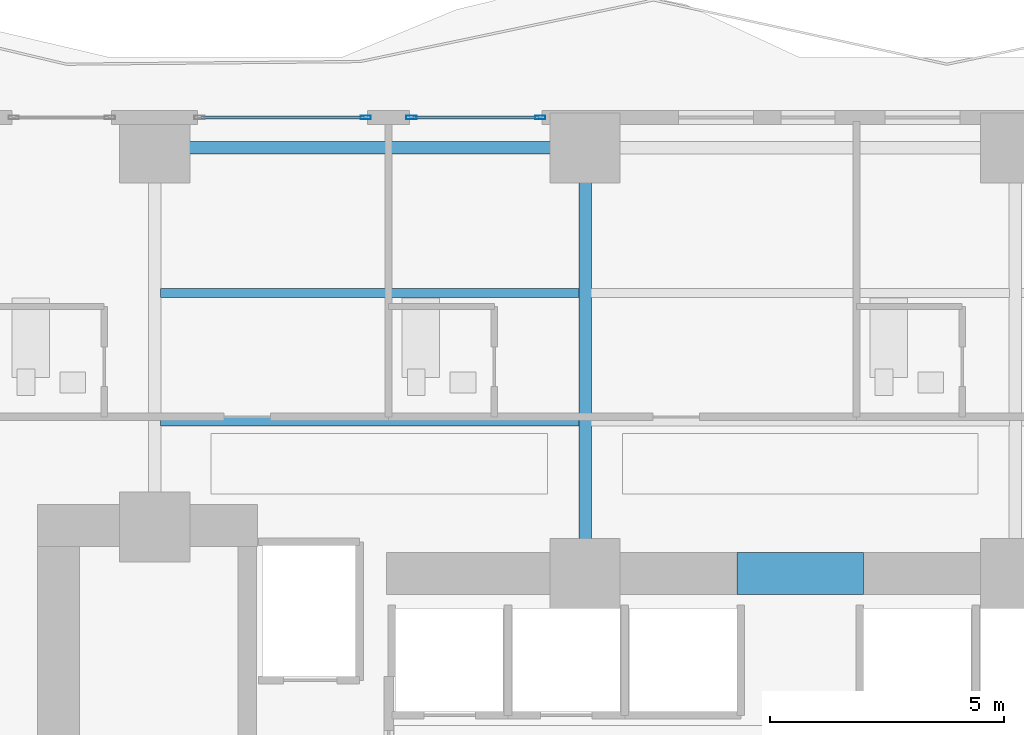
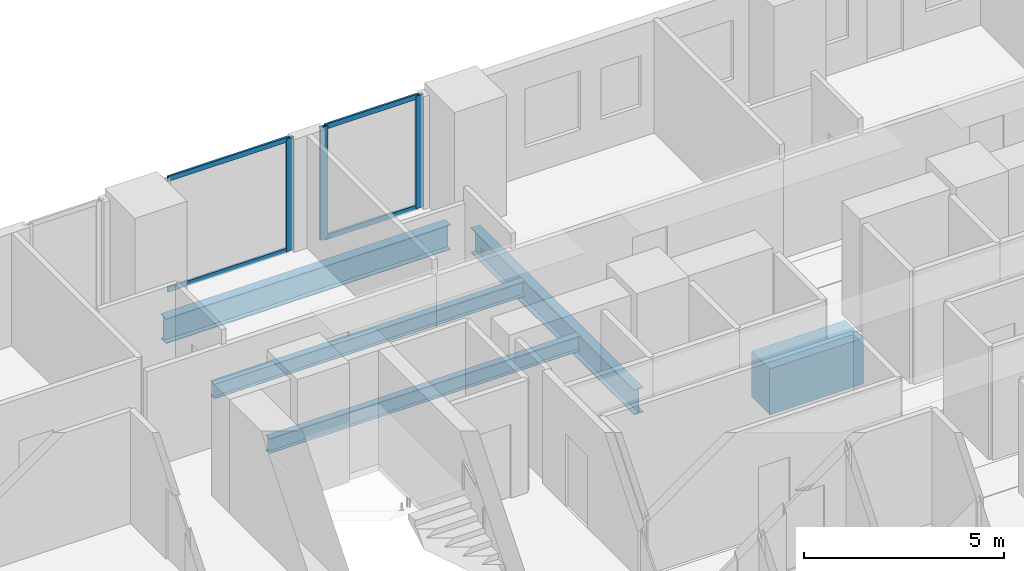
# One storey, part 14 of 29: 7 members, 5 beams, 2 elements without a shape of their own.
"""IFC4 building model written with IfcOpenShell, lengths in metres."""

from ifc_helpers import new_model, si_unit, direction, frame, origin, origin_2d, place, context, subcontext, project, spatial, rectangle, hollow_rectangle, i_section, extrude, material, layer, layer_set, material_profile, profile_set, type_object, element, aggregate, save


model = new_model("IFC4")

# Units and contexts
model_context = context("Model", 3, precision=1e-05, world=origin(), true_north=direction((0.0, 1.0)))
body_context = subcontext(model_context, "Body", "Model", "MODEL_VIEW")
ifc_project = project(units=[si_unit("LENGTHUNIT", "METRE"), si_unit("AREAUNIT", "SQUARE_METRE"), si_unit("VOLUMEUNIT", "CUBIC_METRE"), si_unit("PLANEANGLEUNIT", "RADIAN"), si_unit("MASSUNIT", "GRAM", prefix="KILO")], contexts=[model_context])

# Site, building, storey
site_placement = place(None, origin())
site = spatial("IfcSite", under=ifc_project, at=site_placement, CompositionType="ELEMENT")
building_placement = place(site_placement, origin())
building = spatial("IfcBuilding", under=site, at=building_placement, Name="Zuhayl Quay Hotel", CompositionType="ELEMENT")
storey_placement = place(building_placement, frame((0.0, 0.0, 45.85009765625)))
storey = spatial("IfcBuildingStorey", under=building, at=storey_placement, Name="L10", CompositionType="ELEMENT", Elevation=45.85009765625)

# Beams
ifc_material_1 = material(Name="Steel ASTM A992 Grade 50", Category="steel")
ifc_material_profile_1 = material_profile(ifc_material_1, i_section(OverallWidth=0.26708984375, OverallDepth=0.761962890625, WebThickness=0.014404296875, FlangeThickness=0.021484375, at=origin_2d()), Name="W30X116")
ifc_profile_set_1 = profile_set([ifc_material_profile_1], Name="Steel ASTM A992 Grade 50")
beam_type_1 = type_object("IfcBeamType", Name="BM_B1_W30X116", PredefinedType="BEAM", material=ifc_profile_set_1)
beam_1_placement = place(storey_placement, frame((-5.10009765625, 22.449951171875, -0.60107421875), z_axis=(-1.0, 0.0, 0.0), x_axis=(0.0, -1.0, 0.0)))
element("IfcBeam", 1, at=beam_1_placement, inside=storey, type_object=beam_type_1, Name="L10 Floor Beam RG_L10_09", PredefinedType="BEAM", context=body_context, shape_type="SweptSolid", body=[
    extrude(i_section(OverallWidth=0.26708984375, OverallDepth=0.761962890625, WebThickness=0.014404296875, FlangeThickness=0.021484375, at=origin_2d()), origin(), (0.0, 0.0, 1.0), 8.199951171875),
])
beam_2_placement = place(storey_placement, frame((-4.60009765625, 13.800048828125, -0.60107421875), z_axis=(0.0, 1.0, 0.0), x_axis=(-1.0, 0.0, 0.0)))
element("IfcBeam", 2, at=beam_2_placement, inside=storey, type_object=beam_type_1, Name="L10 Floor Beam FG_N_L10_2", PredefinedType="BEAM", context=body_context, shape_type="SweptSolid", body=[
    extrude(i_section(OverallWidth=0.26708984375, OverallDepth=0.761962890625, WebThickness=0.014404296875, FlangeThickness=0.021484375, at=origin_2d()), origin(), (0.0, 0.0, 1.0), 8.14990234375),
])
ifc_material_2 = material(Name="Concrete C60/75", Category="concrete")
ifc_material_profile_2 = material_profile(ifc_material_2, rectangle(XDim=0.89990234375, YDim=1.39990234375, at=origin_2d()), Name="RC900X1400")
ifc_profile_set_2 = profile_set([ifc_material_profile_2], Name="Concrete C60/75")
beam_type_2 = type_object("IfcBeamType", Name="BM_CB1_RC900", PredefinedType="T_BEAM", material=ifc_profile_set_2)
beam_3_placement = place(storey_placement, frame((-1.35009765625, 13.35009765625, -0.920166015625), z_axis=(1.0, 0.0, 0.0), x_axis=(0.0, 1.0, 0.0)))
element("IfcBeam", 3, at=beam_3_placement, inside=storey, type_object=beam_type_2, Name="L10 Core Coupling Beam North", PredefinedType="T_BEAM", context=body_context, shape_type="SweptSolid", body=[
    extrude(rectangle(XDim=0.89990234375, YDim=1.39990234375, at=origin_2d()), origin(), (0.0, 0.0, 1.0), 2.7001953125),
])
ifc_material_profile_3 = material_profile(ifc_material_1, i_section(OverallWidth=0.18994140625, OverallDepth=0.45703125, WebThickness=0.009033203125, FlangeThickness=0.014404296875, at=origin_2d()), Name="W18X50")
ifc_profile_set_3 = profile_set([ifc_material_profile_3], Name="Steel ASTM A992 Grade 50")
beam_type_3 = type_object("IfcBeamType", Name="BM_J2_W18X50", PredefinedType="JOIST", material=ifc_profile_set_3)
for number, where, z_axis, x_axis, name in (
    (4, (-13.674560546875, 16.60009765625, -0.448486328125), (1.0, 0.0, 0.0), (0.0, 1.0, 0.0), "L10 Floor Beam FJ_L10_1_1"),
    (5, (-13.674560546875, 19.35009765625, -0.448486328125), (1.0, 0.0, 0.0), (0.0, 1.0, 0.0), "L10 Floor Beam FJ_L10_2_1"),
):
    element("IfcBeam", number, at=place(storey_placement, frame(where, z_axis=z_axis, x_axis=x_axis)), inside=storey, type_object=beam_type_3, Name=name, PredefinedType="JOIST", context=body_context, shape_type="SweptSolid", body=[
        extrude(i_section(OverallWidth=0.18994140625, OverallDepth=0.45703125, WebThickness=0.009033203125, FlangeThickness=0.014404296875, at=origin_2d()), origin(), (0.0, 0.0, 1.0), 8.948974609375),
    ])

# Curtain wall, member
ifc_material_3 = material(Name="Anodised Aluminium 6063-T6", Category="aluminium")
ifc_layer = layer(ifc_material_3, 0.18994140625, Name="Anodised Aluminium 6063-T6", Category="aluminium")
ifc_layer_set = layer_set([ifc_layer], Name="Anodised Aluminium 6063-T6")
curtain_wall_type = type_object("IfcCurtainWallType", Name="CW_SYS_Z1", PredefinedType="USERDEFINED", material=ifc_layer_set)
curtain_wall_1_placement = place(storey_placement, origin())
curtain_wall_1 = element("IfcCurtainWall", 6, at=curtain_wall_1_placement, inside=storey, type_object=curtain_wall_type, Name="L10 Curtain Wall ENV_L10_N_CW3", ObjectType="UNITISED CURTAIN WALL", PredefinedType="USERDEFINED")
ifc_material_4 = material(Name="Black-anodised aluminium 6063-T6", Category="aluminium")
ifc_material_profile_4 = material_profile(ifc_material_4, hollow_rectangle(XDim=0.074951171875, YDim=0.219970703125, WallThickness=0.00390625, at=origin_2d()), Name="ALU220X75")
ifc_profile_set_4 = profile_set([ifc_material_profile_4], Name="Black-anodised aluminium 6063-T6")
member_type_1 = type_object("IfcMemberType", Name="MB_CW_MUL_220", PredefinedType="MULLION", material=ifc_profile_set_4)
member_1_placement = place(storey_placement, frame((-9.28759765625, 23.10009765625, 0.0), z_axis=(0.0, 0.0, 1.0), x_axis=(0.0, 1.0, 0.0)))
member_1 = element("IfcMember", 7, at=member_1_placement, type_object=member_type_1, Name="CW-Z1 mullion 2", PredefinedType="MULLION", context=body_context, shape_type="SweptSolid", body=[
    extrude(hollow_rectangle(XDim=0.074951171875, YDim=0.219970703125, WallThickness=0.00390625, at=origin_2d()), origin(), (0.0, 0.0, 1.0), 3.429931640625),
])

# Curtain wall, members
curtain_wall_2_placement = place(storey_placement, origin())
curtain_wall_2 = element("IfcCurtainWall", 8, at=curtain_wall_2_placement, inside=storey, type_object=curtain_wall_type, Name="L10 Curtain Wall ENV_L10_N_CW4", ObjectType="UNITISED CURTAIN WALL", PredefinedType="USERDEFINED")
member_2_placement = place(storey_placement, frame((-8.3125, 23.10009765625, 0.0), z_axis=(0.0, 0.0, 1.0), x_axis=(0.0, 1.0, 0.0)))
member_2 = element("IfcMember", 9, at=member_2_placement, type_object=member_type_1, Name="CW-Z1 mullion 1", PredefinedType="MULLION", context=body_context, shape_type="SweptSolid", body=[
    extrude(hollow_rectangle(XDim=0.074951171875, YDim=0.219970703125, WallThickness=0.00390625, at=origin_2d()), origin(), (0.0, 0.0, 1.0), 3.429931640625),
])
member_3_placement = place(storey_placement, frame((-5.5576171875, 23.10009765625, 0.0), z_axis=(0.0, 0.0, 1.0), x_axis=(0.0, 1.0, 0.0)))
member_3 = element("IfcMember", 10, at=member_3_placement, type_object=member_type_1, Name="CW-Z1 mullion 2", PredefinedType="MULLION", context=body_context, shape_type="SweptSolid", body=[
    extrude(hollow_rectangle(XDim=0.074951171875, YDim=0.219970703125, WallThickness=0.00390625, at=origin_2d()), origin(), (0.0, 0.0, 1.0), 3.429931640625),
])

# Member
ifc_material_profile_5 = material_profile(ifc_material_4, hollow_rectangle(XDim=0.06005859375, YDim=0.14990234375, WallThickness=0.00341796875, at=origin_2d()), Name="ALU150X60")
ifc_profile_set_5 = profile_set([ifc_material_profile_5], Name="Black-anodised aluminium 6063-T6")
member_type_2 = type_object("IfcMemberType", Name="MB_CW_TRN_150", PredefinedType="USERDEFINED", material=ifc_profile_set_5)
member_4_placement = place(storey_placement, frame((-12.804931640625, 23.10009765625, 0.02978515625), z_axis=(1.0, 0.0, 0.0), x_axis=(0.0, 1.0, 0.0)))
member_4 = element("IfcMember", 11, at=member_4_placement, type_object=member_type_2, Name="CW-Z1 transom 1.1", ObjectType="TRANSOM", PredefinedType="USERDEFINED", context=body_context, shape_type="SweptSolid", body=[
    extrude(hollow_rectangle(XDim=0.06005859375, YDim=0.14990234375, WallThickness=0.00341796875, at=origin_2d()), origin(), (0.0, 0.0, 1.0), 3.47998046875),
])

member_5_placement = place(storey_placement, frame((-12.804931640625, 23.10009765625, 3.39990234375), z_axis=(1.0, 0.0, 0.0), x_axis=(0.0, 1.0, 0.0)))
member_5 = element("IfcMember", 12, at=member_5_placement, type_object=member_type_2, Name="CW-Z1 transom 1.2", ObjectType="TRANSOM", PredefinedType="USERDEFINED", context=body_context, shape_type="SweptSolid", body=[
    extrude(hollow_rectangle(XDim=0.06005859375, YDim=0.14990234375, WallThickness=0.00341796875, at=origin_2d()), origin(), (0.0, 0.0, 1.0), 3.47998046875),
])

aggregate(curtain_wall_1, [member_1, member_4, member_5])

member_6_placement = place(storey_placement, frame((-8.27490234375, 23.10009765625, 0.02978515625), z_axis=(1.0, 0.0, 0.0), x_axis=(0.0, 1.0, 0.0)))
member_6 = element("IfcMember", 13, at=member_6_placement, type_object=member_type_2, Name="CW-Z1 transom 1.1", ObjectType="TRANSOM", PredefinedType="USERDEFINED", context=body_context, shape_type="SweptSolid", body=[
    extrude(hollow_rectangle(XDim=0.06005859375, YDim=0.14990234375, WallThickness=0.00341796875, at=origin_2d()), origin(), (0.0, 0.0, 1.0), 2.679931640625),
])

member_7_placement = place(storey_placement, frame((-8.27490234375, 23.10009765625, 3.39990234375), z_axis=(1.0, 0.0, 0.0), x_axis=(0.0, 1.0, 0.0)))
member_7 = element("IfcMember", 14, at=member_7_placement, type_object=member_type_2, Name="CW-Z1 transom 1.2", ObjectType="TRANSOM", PredefinedType="USERDEFINED", context=body_context, shape_type="SweptSolid", body=[
    extrude(hollow_rectangle(XDim=0.06005859375, YDim=0.14990234375, WallThickness=0.00341796875, at=origin_2d()), origin(), (0.0, 0.0, 1.0), 2.679931640625),
])

aggregate(curtain_wall_2, [member_2, member_3, member_6, member_7])

save(model, "model.ifc")
